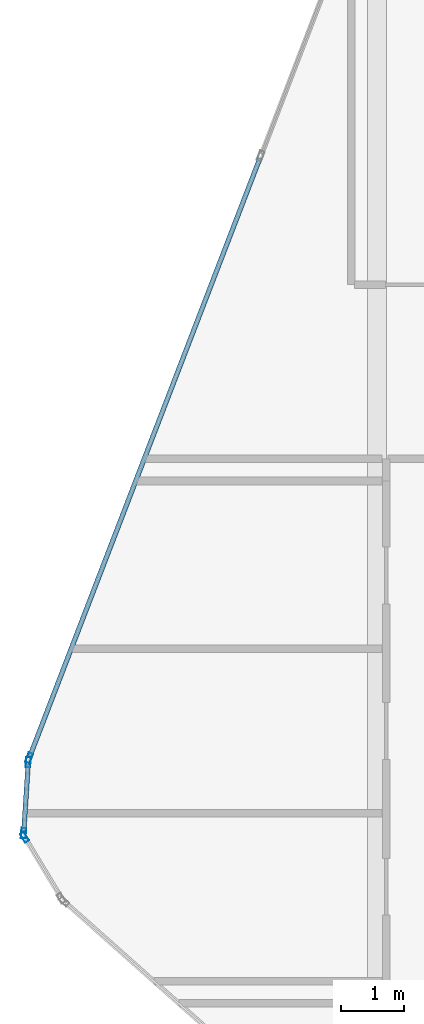
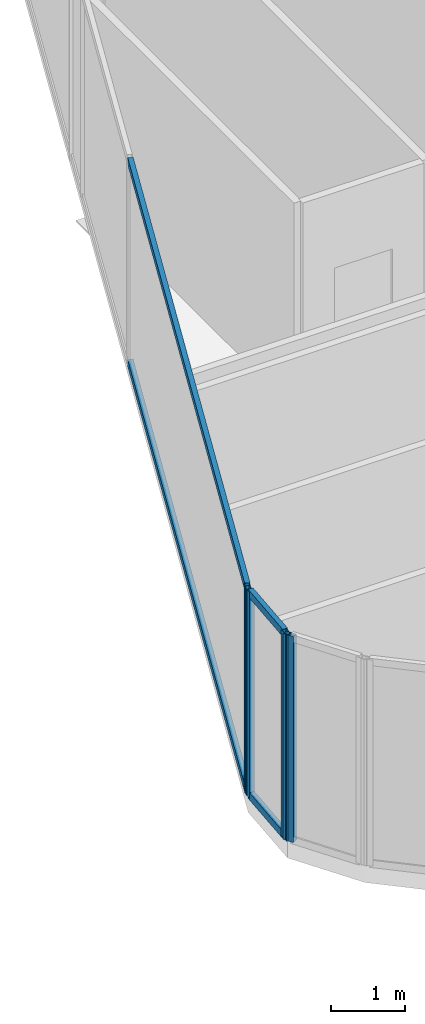
# One storey, part 10 of 31: 8 members, 3 elements without a shape of their own.
"""IFC4 building model written with IfcOpenShell, lengths in metres."""

from ifc_helpers import new_model, si_unit, direction, frame, origin, origin_2d, place, context, subcontext, project, spatial, hollow_rectangle, extrude, material, layer, layer_set, material_profile, profile_set, type_object, element, aggregate, save


model = new_model("IFC4")

# Units and contexts
model_context = context("Model", 3, precision=1e-05, world=origin(), true_north=direction((0.0, 1.0)))
body_context = subcontext(model_context, "Body", "Model", "MODEL_VIEW")
ifc_project = project(units=[si_unit("LENGTHUNIT", "METRE"), si_unit("AREAUNIT", "SQUARE_METRE"), si_unit("VOLUMEUNIT", "CUBIC_METRE"), si_unit("PLANEANGLEUNIT", "RADIAN"), si_unit("MASSUNIT", "GRAM", prefix="KILO")], contexts=[model_context])

# Site, building, storey
site_placement = place(None, origin())
site = spatial("IfcSite", under=ifc_project, at=site_placement, CompositionType="ELEMENT")
building_placement = place(site_placement, origin())
building = spatial("IfcBuilding", under=site, at=building_placement, Name="Keshet Zoharim Tower", CompositionType="ELEMENT")
storey_placement = place(building_placement, frame((0.0, 0.0, 276.89990234375)))
storey = spatial("IfcBuildingStorey", under=building, at=storey_placement, Name="L69", CompositionType="ELEMENT", Elevation=276.89990234375)

# Curtain wall, member
ifc_material = material(Name="Aluminium 6063-T6", Category="aluminium")
ifc_layer = layer(ifc_material, 0.260009765625)
ifc_layer_set = layer_set([ifc_layer], Name="Aluminium 6063-T6")
curtain_wall_type = type_object("IfcCurtainWallType", Name="CW-SYS-06", PredefinedType="NOTDEFINED", material=ifc_layer_set)
curtain_wall_1_placement = place(storey_placement, origin())
curtain_wall_1 = element("IfcCurtainWall", 1, at=curtain_wall_1_placement, inside=storey, type_object=curtain_wall_type, Name="L69 Unitised Curtain Wall 01", PredefinedType="NOTDEFINED")
ifc_material_profile_1 = material_profile(ifc_material, hollow_rectangle(XDim=0.074951171875, YDim=0.159912109375, WallThickness=0.00390625, at=origin_2d()), Name="MUL-75x160")
ifc_profile_set_1 = profile_set([ifc_material_profile_1], Name="Aluminium 6063-T6")
member_type_1 = type_object("IfcMemberType", Name="CWM-M15", PredefinedType="MULLION", material=ifc_profile_set_1)
member_1_placement = place(storey_placement, frame((3.43798828125, 22.77197265625, 0.0), z_axis=(0.0, 0.0, 1.0), x_axis=(-0.856826433805, -0.515604947933, 0.0)))
member_1 = element("IfcMember", 2, at=member_1_placement, type_object=member_type_1, Name="CW-06 mullion 2", PredefinedType="MULLION", context=body_context, shape_type="SweptSolid", body=[
    extrude(hollow_rectangle(XDim=0.074951171875, YDim=0.159912109375, WallThickness=0.00390625, at=origin_2d()), origin(), (0.0, 0.0, 1.0), 3.39013671875),
])
aggregate(curtain_wall_1, [member_1])

# Curtain wall, members
curtain_wall_2_placement = place(storey_placement, origin())
curtain_wall_2 = element("IfcCurtainWall", 3, at=curtain_wall_2_placement, inside=storey, type_object=curtain_wall_type, Name="L69 Unitised Curtain Wall 02", PredefinedType="NOTDEFINED")
member_2_placement = place(storey_placement, frame((3.42236328125, 22.8369140625, 0.0), z_axis=(0.0, 0.0, 1.0), x_axis=(-0.997916617186, 0.064516859374, 0.0)))
member_2 = element("IfcMember", 4, at=member_2_placement, type_object=member_type_1, Name="CW-06 mullion 1", PredefinedType="MULLION", context=body_context, shape_type="SweptSolid", body=[
    extrude(hollow_rectangle(XDim=0.074951171875, YDim=0.159912109375, WallThickness=0.00390625, at=origin_2d()), origin(), (0.0, 0.0, 1.0), 3.39013671875),
])
member_3_placement = place(storey_placement, frame((3.49462890625, 23.9580078125, 0.0), z_axis=(0.0, 0.0, 1.0), x_axis=(-0.997916617186, 0.064516859374, 0.0)))
member_3 = element("IfcMember", 5, at=member_3_placement, type_object=member_type_1, Name="CW-06 mullion 2", PredefinedType="MULLION", context=body_context, shape_type="SweptSolid", body=[
    extrude(hollow_rectangle(XDim=0.074951171875, YDim=0.159912109375, WallThickness=0.00390625, at=origin_2d()), origin(), (0.0, 0.0, 1.0), 3.39013671875),
])

# Curtain wall, member
curtain_wall_3_placement = place(storey_placement, origin())
curtain_wall_3 = element("IfcCurtainWall", 6, at=curtain_wall_3_placement, inside=storey, type_object=curtain_wall_type, Name="L69 Unitised Curtain Wall 03", PredefinedType="NOTDEFINED")
member_4_placement = place(storey_placement, frame((3.509521484375, 24.025634765625, 0.0), z_axis=(0.0, 0.0, 1.0), x_axis=(-0.933341404361, 0.358990003907, 0.0)))
member_4 = element("IfcMember", 7, at=member_4_placement, type_object=member_type_1, Name="CW-06 mullion 1", PredefinedType="MULLION", context=body_context, shape_type="SweptSolid", body=[
    extrude(hollow_rectangle(XDim=0.074951171875, YDim=0.159912109375, WallThickness=0.00390625, at=origin_2d()), origin(), (0.0, 0.0, 1.0), 3.39013671875),
])

# Member
ifc_material_profile_2 = material_profile(ifc_material, hollow_rectangle(XDim=0.074951171875, YDim=0.1201171875, WallThickness=0.00390625, at=origin_2d()), Name="TRN-75x120")
ifc_profile_set_2 = profile_set([ifc_material_profile_2], Name="Aluminium 6063-T6")
member_type_2 = type_object("IfcMemberType", Name="CWT-T12", PredefinedType="USERDEFINED", material=ifc_profile_set_2)
member_5_placement = place(storey_placement, frame((3.424560546875, 22.871826171875, 0.03515625), z_axis=(0.064426947155, 0.997922426083, 0.0), x_axis=(-0.997922426083, 0.064426947155, 0.0)))
member_5 = element("IfcMember", 8, at=member_5_placement, type_object=member_type_2, Name="CW-06 transom 1.1", ObjectType="TRANSOM", PredefinedType="USERDEFINED", context=body_context, shape_type="SweptSolid", body=[
    extrude(hollow_rectangle(XDim=0.074951171875, YDim=0.1201171875, WallThickness=0.00390625, at=origin_2d()), origin(), (0.0, 0.0, 1.0), 1.053466796875),
])

member_6_placement = place(storey_placement, frame((3.424560546875, 22.871826171875, 3.35498046875), z_axis=(0.064426947155, 0.997922426083, 0.0), x_axis=(-0.997922426083, 0.064426947155, 0.0)))
member_6 = element("IfcMember", 9, at=member_6_placement, type_object=member_type_2, Name="CW-06 transom 1.2", ObjectType="TRANSOM", PredefinedType="USERDEFINED", context=body_context, shape_type="SweptSolid", body=[
    extrude(hollow_rectangle(XDim=0.074951171875, YDim=0.1201171875, WallThickness=0.00390625, at=origin_2d()), origin(), (0.0, 0.0, 1.0), 1.053466796875),
])

aggregate(curtain_wall_2, [member_2, member_3, member_5, member_6])

member_7_placement = place(storey_placement, frame((3.522216796875, 24.058349609375, 0.03515625), z_axis=(0.358993631387, 0.93334000912, 0.0), x_axis=(-0.93334000912, 0.358993631387, 0.0)))
member_7 = element("IfcMember", 10, at=member_7_placement, type_object=member_type_2, Name="CW-06 transom 1.1", ObjectType="TRANSOM", PredefinedType="USERDEFINED", context=body_context, shape_type="SweptSolid", body=[
    extrude(hollow_rectangle(XDim=0.074951171875, YDim=0.1201171875, WallThickness=0.00390625, at=origin_2d()), origin(), (0.0, 0.0, 1.0), 10.1181640625),
])

member_8_placement = place(storey_placement, frame((3.522216796875, 24.058349609375, 3.35498046875), z_axis=(0.358993631387, 0.93334000912, 0.0), x_axis=(-0.93334000912, 0.358993631387, 0.0)))
member_8 = element("IfcMember", 11, at=member_8_placement, type_object=member_type_2, Name="CW-06 transom 1.2", ObjectType="TRANSOM", PredefinedType="USERDEFINED", context=body_context, shape_type="SweptSolid", body=[
    extrude(hollow_rectangle(XDim=0.074951171875, YDim=0.1201171875, WallThickness=0.00390625, at=origin_2d()), origin(), (0.0, 0.0, 1.0), 10.1181640625),
])

aggregate(curtain_wall_3, [member_4, member_7, member_8])

save(model, "model.ifc")
